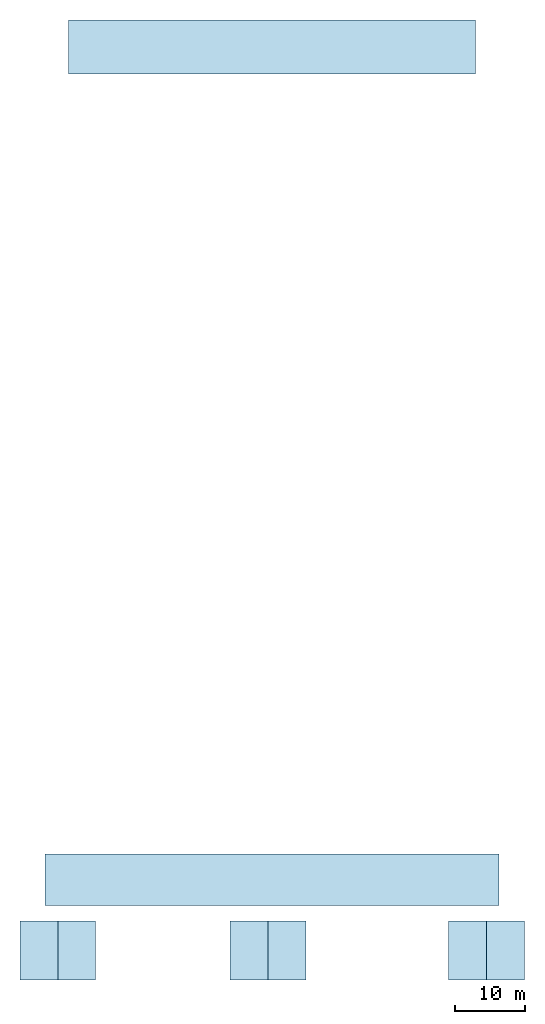
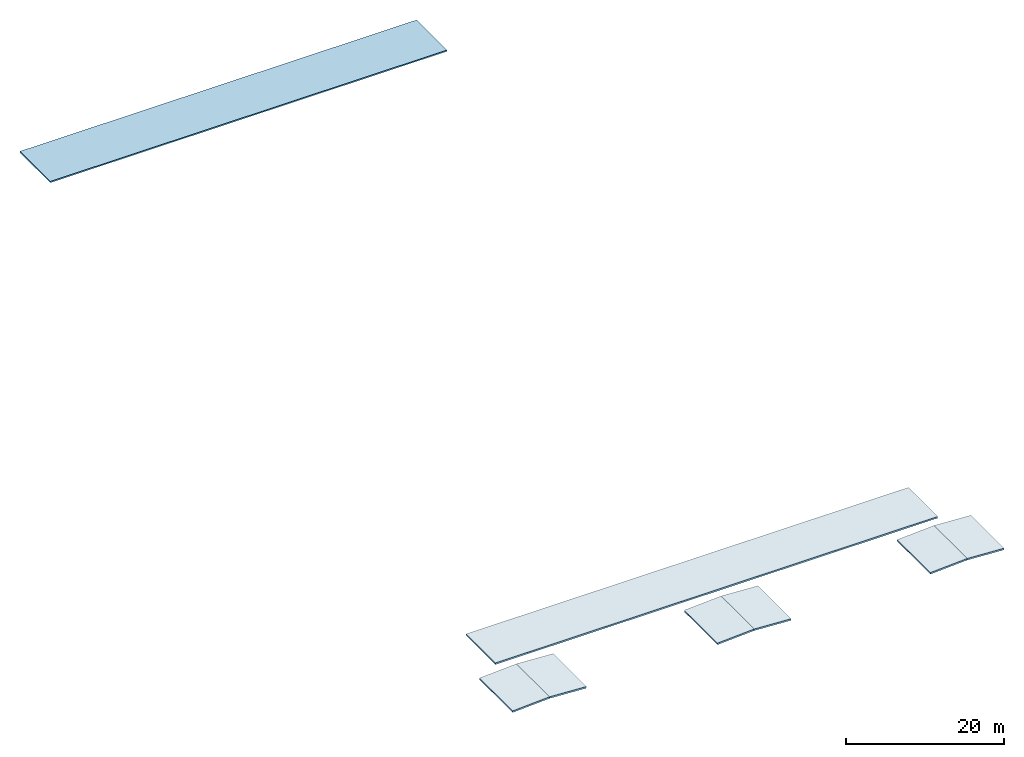
# One storey, part 1 of 2: 8 slabs.
"""IFC4 building model written with IfcOpenShell, lengths in metres."""

from ifc_helpers import new_model, si_unit, direction, frame, origin, place, context, subcontext, project, spatial, polyline, outline, extrude, material, layer, layer_set, type_object, element, save


model = new_model("IFC4")

# Units and contexts
model_context = context("Model", 3, precision=1e-05, world=origin(), true_north=direction((0.0, 1.0)))
body_context = subcontext(model_context, "Body", "Model", "MODEL_VIEW")
ifc_project = project(units=[si_unit("LENGTHUNIT", "METRE"), si_unit("AREAUNIT", "SQUARE_METRE"), si_unit("VOLUMEUNIT", "CUBIC_METRE"), si_unit("PLANEANGLEUNIT", "RADIAN"), si_unit("MASSUNIT", "GRAM", prefix="KILO")], contexts=[model_context])

# Site, building, storey
site_placement = place(None, origin())
site = spatial("IfcSite", under=ifc_project, at=site_placement, CompositionType="ELEMENT")
building_placement = place(site_placement, origin())
building = spatial("IfcBuilding", under=site, at=building_placement, Name="Alderwick Market Hall", CompositionType="ELEMENT")
storey_placement = place(building_placement, frame((0.0, 0.0, 21.10009765625)))
storey = spatial("IfcBuildingStorey", under=building, at=storey_placement, Name="ROOF", CompositionType="ELEMENT", Elevation=21.10009765625)

# Slabs
ifc_material_1 = material(Name="Concrete 4000 psi (f'c 28 MPa)", Category="concrete")
ifc_layer_1 = layer(ifc_material_1, 0.25)
ifc_layer_set_1 = layer_set([ifc_layer_1], Name="Concrete 4000 psi (f'c 28 MPa)")
slab_type_1 = type_object("IfcSlabType", Name="C Head-house Roof Slab Concrete 4000 psi 250", PredefinedType="ROOF", material=ifc_layer_set_1)
slab_1_placement = place(storey_placement, frame((158.39990234375, 15.60009765625, 0.500244140625), z_axis=(-0.055477519868, 0.0, 0.998459936497), x_axis=(0.998459936497, 0.0, 0.055477519868)))
element("IfcSlab", 1, at=slab_1_placement, inside=storey, type_object=slab_type_1, Name="C.headroof.L02.A.w", PredefinedType="ROOF", context=body_context, shape_type="SweptSolid", body=[
    extrude(outline(polyline([(0.0, 0.0), (5.408475880686431, 0.0), (5.408475880686431, -8.400146484375), (0.0, -8.400146484375), (0.0, 0.0)])), origin(), (0.0, 0.0, -1.0), 0.25),
])
slab_2_placement = place(storey_placement, frame((169.199951171875, 15.60009765625, 0.500244140625), z_axis=(0.0554800204, 0.0, 0.998459797556), x_axis=(-0.998459797556, 0.0, 0.0554800204)))
element("IfcSlab", 2, at=slab_2_placement, inside=storey, type_object=slab_type_1, Name="C.headroof.L02.A.e", PredefinedType="ROOF", context=body_context, shape_type="SweptSolid", body=[
    extrude(outline(polyline([(0.0, 0.0), (5.408232116070456, 0.0), (5.408232116070456, 8.400146484375), (0.0, 8.400146484375), (0.0, 0.0)])), origin(), (0.0, 0.0, -1.0), 0.25),
])
slab_3_placement = place(storey_placement, frame((188.39990234375, 15.60009765625, 0.500244140625), z_axis=(-0.055477519868, 0.0, 0.998459936497), x_axis=(0.998459936497, 0.0, 0.055477519868)))
element("IfcSlab", 3, at=slab_3_placement, inside=storey, type_object=slab_type_1, Name="C.headroof.L02.B.w", PredefinedType="ROOF", context=body_context, shape_type="SweptSolid", body=[
    extrude(outline(polyline([(0.0, 0.0), (5.408475880686431, 0.0), (5.408475880686431, -8.400146484375), (0.0, -8.400146484375), (0.0, 0.0)])), origin(), (0.0, 0.0, -1.0), 0.25),
])
slab_4_placement = place(storey_placement, frame((199.199951171875, 15.60009765625, 0.500244140625), z_axis=(0.0554800204, 0.0, 0.998459797556), x_axis=(-0.998459797556, 0.0, 0.0554800204)))
element("IfcSlab", 4, at=slab_4_placement, inside=storey, type_object=slab_type_1, Name="C.headroof.L02.B.e", PredefinedType="ROOF", context=body_context, shape_type="SweptSolid", body=[
    extrude(outline(polyline([(0.0, 0.0), (5.408232116070456, 0.0), (5.408232116070456, 8.400146484375), (0.0, 8.400146484375), (0.0, 0.0)])), origin(), (0.0, 0.0, -1.0), 0.25),
])
slab_5_placement = place(storey_placement, frame((219.60009765625, 15.60009765625, 0.500244140625), z_axis=(-0.0554800204, 0.0, 0.998459797556), x_axis=(0.998459797556, 0.0, 0.0554800204)))
element("IfcSlab", 5, at=slab_5_placement, inside=storey, type_object=slab_type_1, Name="C.headroof.L02.C.w", PredefinedType="ROOF", context=body_context, shape_type="SweptSolid", body=[
    extrude(outline(polyline([(0.0, 0.0), (5.408232116070456, 0.0), (5.408232116070456, -8.400146484375), (0.0, -8.400146484375), (0.0, 0.0)])), origin(), (0.0, 0.0, -1.0), 0.25),
])
slab_6_placement = place(storey_placement, frame((230.39990234375, 15.60009765625, 0.500244140625), z_axis=(0.0554800204, 0.0, 0.998459797556), x_axis=(-0.998459797556, 0.0, 0.0554800204)))
element("IfcSlab", 6, at=slab_6_placement, inside=storey, type_object=slab_type_1, Name="C.headroof.L02.C.e", PredefinedType="ROOF", context=body_context, shape_type="SweptSolid", body=[
    extrude(outline(polyline([(0.0, 0.0), (5.408232116070456, 0.0), (5.408232116070456, 8.400146484375), (0.0, 8.400146484375), (0.0, 0.0)])), origin(), (0.0, 0.0, -1.0), 0.25),
])
ifc_material_2 = material(Name="Concrete 5000 psi (f'c 35 MPa)", Category="concrete")
ifc_layer_2 = layer(ifc_material_2, 0.25)
ifc_layer_set_2 = layer_set([ifc_layer_2], Name="Concrete 5000 psi (f'c 35 MPa)")
slab_type_2 = type_object("IfcSlabType", Name="C Mansard Roof Slab Concrete 5000 psi 250", PredefinedType="ROOF", material=ifc_layer_set_2)
slab_7_placement = place(storey_placement, frame((162.0, 25.199951171875, 0.25), z_axis=(0.0, 0.0, 1.0), x_axis=(1.0, 0.0, 0.0)))
element("IfcSlab", 7, at=slab_7_placement, inside=storey, type_object=slab_type_2, Name="C.roofslab.L02.crown", PredefinedType="ROOF", context=body_context, shape_type="SweptSolid", body=[
    extrude(outline(polyline([(0.0, 0.0), (64.800048828125, 0.0), (64.800048828125, -7.39990234375), (0.0, -7.39990234375), (0.0, 0.0)])), origin(), (0.0, 0.0, -1.0), 0.25),
])
ifc_layer_3 = layer(ifc_material_2, 0.199951171875)
ifc_layer_set_3 = layer_set([ifc_layer_3], Name="Concrete 5000 psi (f'c 35 MPa)")
slab_type_3 = type_object("IfcSlabType", Name="F Lantern Cap Slab Concrete 5000 psi 200", PredefinedType="ROOF", material=ifc_layer_set_3)
slab_8_placement = place(storey_placement, frame((0.0, 0.0, 1.454833984375)))
element("IfcSlab", 8, at=slab_8_placement, inside=storey, type_object=slab_type_3, Name="F.lanterncap.L02.01", PredefinedType="ROOF", context=body_context, shape_type="SweptSolid", body=[
    extrude(outline(polyline([(165.35009765625, 136.550048828125), (223.449951171875, 136.550048828125), (223.449951171875, 144.25), (165.35009765625, 144.25), (165.35009765625, 136.550048828125)])), origin(), (0.0, 0.0, 1.0), 0.199951171875),
])

save(model, "model.ifc")
